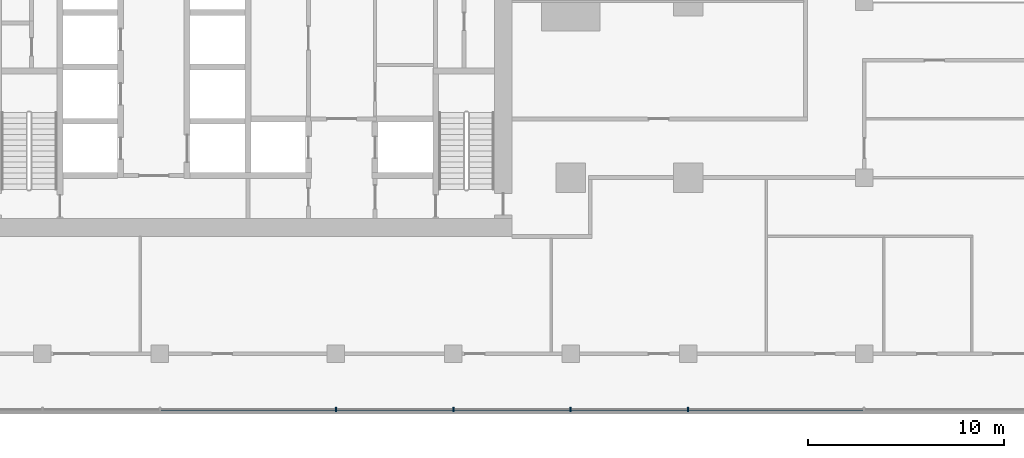
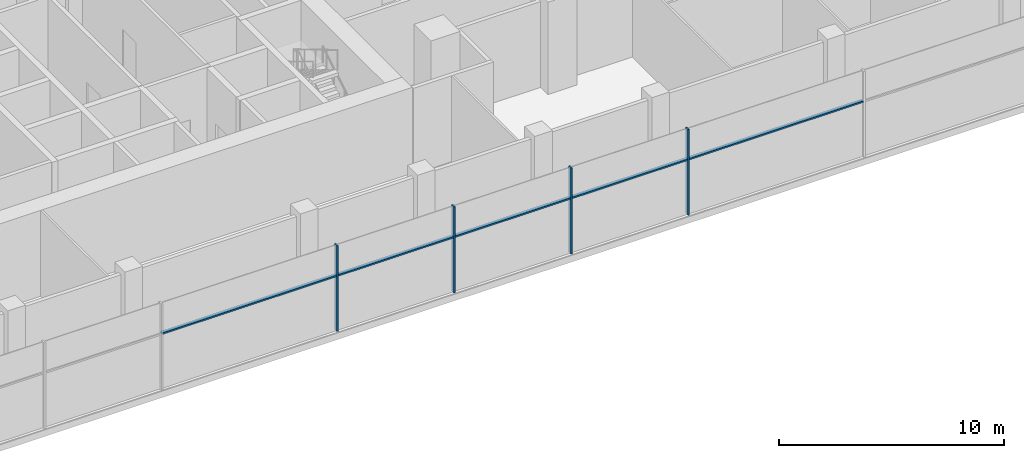
# One storey, part 3 of 22: 9 members, 1 element without a shape of its own.
"""IFC4 building model written with IfcOpenShell, lengths in metres."""

from ifc_helpers import new_model, si_unit, direction, frame, origin, origin_2d, place, context, subcontext, project, spatial, rectangle, extrude, material, material_profile, profile_set, type_object, element, aggregate, save


model = new_model("IFC4")

# Units and contexts
model_context = context("Model", 3, precision=1e-05, world=origin(), true_north=direction((0.0, 1.0)))
body_context = subcontext(model_context, "Body", "Model", "MODEL_VIEW")
ifc_project = project(units=[si_unit("LENGTHUNIT", "METRE"), si_unit("AREAUNIT", "SQUARE_METRE"), si_unit("VOLUMEUNIT", "CUBIC_METRE"), si_unit("PLANEANGLEUNIT", "RADIAN"), si_unit("MASSUNIT", "GRAM", prefix="KILO")], contexts=[model_context])

# Site, building, storey
site_placement = place(None, origin())
site = spatial("IfcSite", under=ifc_project, at=site_placement, CompositionType="ELEMENT")
building_placement = place(site_placement, origin())
building = spatial("IfcBuilding", under=site, at=building_placement, Name="Finial Court Residences", CompositionType="ELEMENT")
storey_placement = place(building_placement, frame((0.0, 0.0, 13.5)))
storey = spatial("IfcBuildingStorey", under=building, at=storey_placement, Name="L02", CompositionType="ELEMENT", Elevation=13.5)

# Curtain wall, members
ifc_material = material(Name="Bronze anodised aluminium", Category="aluminium")
curtain_wall_type = type_object("IfcCurtainWallType", Name="Podium curtain wall", PredefinedType="NOTDEFINED", material=ifc_material)
curtain_wall_placement = place(storey_placement, origin())
curtain_wall = element("IfcCurtainWall", 1, at=curtain_wall_placement, inside=storey, type_object=curtain_wall_type, Name="E-L02-CW-S3", PredefinedType="NOTDEFINED")
ifc_material_profile_1 = material_profile(ifc_material, rectangle(XDim=0.22509765625, YDim=0.080078125, at=origin_2d()), Name="CW5 mullion 80 x 225")
ifc_profile_set_1 = profile_set([ifc_material_profile_1], Name="Bronze anodised aluminium")
member_type_1 = type_object("IfcMemberType", Name="CW5 mullion 80 x 225", PredefinedType="MULLION", material=ifc_profile_set_1)
member_1_placement = place(storey_placement, frame((4.5, -34.35009765625, 0.0), z_axis=(0.0, 0.0, 1.0), x_axis=(0.0, 1.0, 0.0)))
member_1 = element("IfcMember", 2, at=member_1_placement, type_object=member_type_1, Name="CW5 mullion 7", PredefinedType="MULLION", context=body_context, shape_type="SweptSolid", body=[
    extrude(rectangle(XDim=0.22509765625, YDim=0.080078125, at=origin_2d()), origin(), (0.0, 0.0, 1.0), 4.64990234375),
])
member_2_placement = place(storey_placement, frame((10.5, -34.35009765625, 0.0), z_axis=(0.0, 0.0, 1.0), x_axis=(0.0, 1.0, 0.0)))
member_2 = element("IfcMember", 3, at=member_2_placement, type_object=member_type_1, Name="CW5 mullion 8", PredefinedType="MULLION", context=body_context, shape_type="SweptSolid", body=[
    extrude(rectangle(XDim=0.22509765625, YDim=0.080078125, at=origin_2d()), origin(), (0.0, 0.0, 1.0), 4.64990234375),
])
member_3_placement = place(storey_placement, frame((16.5, -34.35009765625, 0.0), z_axis=(0.0, 0.0, 1.0), x_axis=(0.0, 1.0, 0.0)))
member_3 = element("IfcMember", 4, at=member_3_placement, type_object=member_type_1, Name="CW5 mullion 9", PredefinedType="MULLION", context=body_context, shape_type="SweptSolid", body=[
    extrude(rectangle(XDim=0.22509765625, YDim=0.080078125, at=origin_2d()), origin(), (0.0, 0.0, 1.0), 4.64990234375),
])
member_4_placement = place(storey_placement, frame((22.5, -34.35009765625, 0.0), z_axis=(0.0, 0.0, 1.0), x_axis=(0.0, 1.0, 0.0)))
member_4 = element("IfcMember", 5, at=member_4_placement, type_object=member_type_1, Name="CW5 mullion 10", PredefinedType="MULLION", context=body_context, shape_type="SweptSolid", body=[
    extrude(rectangle(XDim=0.22509765625, YDim=0.080078125, at=origin_2d()), origin(), (0.0, 0.0, 1.0), 4.64990234375),
])
ifc_material_profile_2 = material_profile(ifc_material, rectangle(XDim=0.175048828125, YDim=0.080078125, at=origin_2d()), Name="CW5 transom 80 x 175")
ifc_profile_set_2 = profile_set([ifc_material_profile_2], Name="Bronze anodised aluminium")
member_type_2 = type_object("IfcMemberType", Name="CW5 transom 80 x 175", PredefinedType="USERDEFINED", material=ifc_profile_set_2)
member_5_placement = place(storey_placement, frame((-4.4599609375, -34.35009765625, 3.0), z_axis=(1.0, 0.0, 0.0), x_axis=(0.0, 1.0, 0.0)))
member_5 = element("IfcMember", 6, at=member_5_placement, type_object=member_type_2, Name="CW5 transom 6.1", ObjectType="TRANSOM", PredefinedType="USERDEFINED", context=body_context, shape_type="SweptSolid", body=[
    extrude(rectangle(XDim=0.175048828125, YDim=0.080078125, at=origin_2d()), origin(), (0.0, 0.0, 1.0), 8.919921875),
])
member_6_placement = place(storey_placement, frame((4.5400390625, -34.35009765625, 3.0), z_axis=(1.0, 0.0, 0.0), x_axis=(0.0, 1.0, 0.0)))
member_6 = element("IfcMember", 7, at=member_6_placement, type_object=member_type_2, Name="CW5 transom 7.1", ObjectType="TRANSOM", PredefinedType="USERDEFINED", context=body_context, shape_type="SweptSolid", body=[
    extrude(rectangle(XDim=0.175048828125, YDim=0.080078125, at=origin_2d()), origin(), (0.0, 0.0, 1.0), 5.919921875),
])
member_7_placement = place(storey_placement, frame((10.5400390625, -34.35009765625, 3.0), z_axis=(1.0, 0.0, 0.0), x_axis=(0.0, 1.0, 0.0)))
member_7 = element("IfcMember", 8, at=member_7_placement, type_object=member_type_2, Name="CW5 transom 8.1", ObjectType="TRANSOM", PredefinedType="USERDEFINED", context=body_context, shape_type="SweptSolid", body=[
    extrude(rectangle(XDim=0.175048828125, YDim=0.080078125, at=origin_2d()), origin(), (0.0, 0.0, 1.0), 5.919921875),
])
member_8_placement = place(storey_placement, frame((16.5400390625, -34.35009765625, 3.0), z_axis=(1.0, 0.0, 0.0), x_axis=(0.0, 1.0, 0.0)))
member_8 = element("IfcMember", 9, at=member_8_placement, type_object=member_type_2, Name="CW5 transom 9.1", ObjectType="TRANSOM", PredefinedType="USERDEFINED", context=body_context, shape_type="SweptSolid", body=[
    extrude(rectangle(XDim=0.175048828125, YDim=0.080078125, at=origin_2d()), origin(), (0.0, 0.0, 1.0), 5.919921875),
])
member_9_placement = place(storey_placement, frame((22.5400390625, -34.35009765625, 3.0), z_axis=(1.0, 0.0, 0.0), x_axis=(0.0, 1.0, 0.0)))
member_9 = element("IfcMember", 10, at=member_9_placement, type_object=member_type_2, Name="CW5 transom 10.1", ObjectType="TRANSOM", PredefinedType="USERDEFINED", context=body_context, shape_type="SweptSolid", body=[
    extrude(rectangle(XDim=0.175048828125, YDim=0.080078125, at=origin_2d()), origin(), (0.0, 0.0, 1.0), 8.919921875),
])
aggregate(curtain_wall, [member_1, member_2, member_3, member_4, member_5, member_6, member_7, member_8, member_9])

save(model, "model.ifc")
